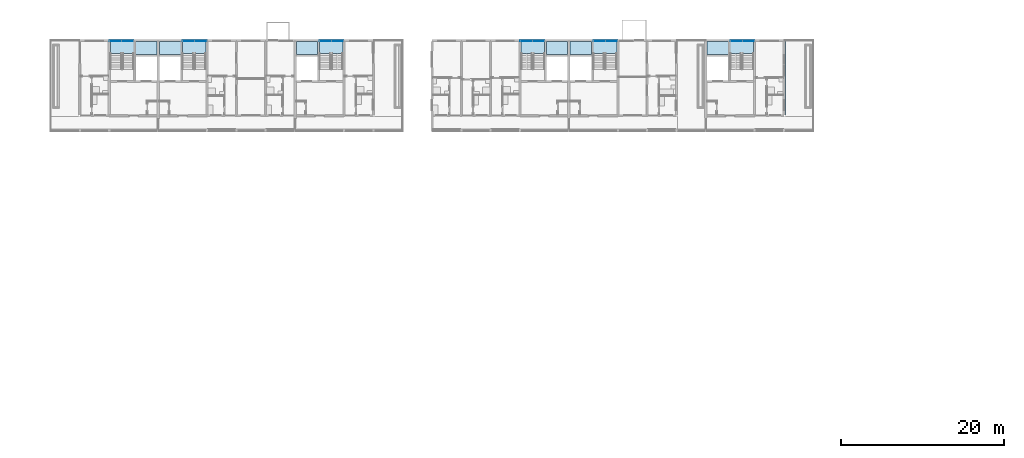
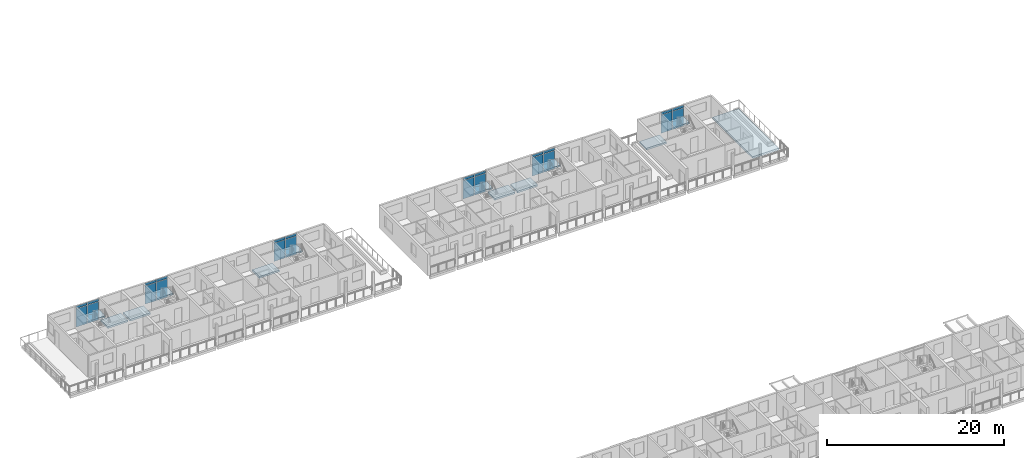
# One storey, part 25 of 94: 24 plates, 13 slabs, 12 elements without a shape of their own.
"""IFC4 building model written with IfcOpenShell, lengths in metres."""

from ifc_helpers import new_model, si_unit, direction, frame, origin, origin_2d, place, context, subcontext, project, spatial, polyline, rectangle, outline, extrude, material, layer, layer_set, type_object, element, aggregate, save


model = new_model("IFC4")

# Units and contexts
model_context = context("Model", 3, precision=1e-05, world=origin(), true_north=direction((0.0, 1.0)))
body_context = subcontext(model_context, "Body", "Model", "MODEL_VIEW")
ifc_project = project(units=[si_unit("LENGTHUNIT", "METRE"), si_unit("AREAUNIT", "SQUARE_METRE"), si_unit("VOLUMEUNIT", "CUBIC_METRE"), si_unit("PLANEANGLEUNIT", "RADIAN"), si_unit("MASSUNIT", "GRAM", prefix="KILO")], contexts=[model_context])

# Site, building, storey
site_placement = place(None, origin())
site = spatial("IfcSite", under=ifc_project, at=site_placement, CompositionType="ELEMENT")
building_placement = place(site_placement, origin())
building = spatial("IfcBuilding", under=site, at=building_placement, Name="Ridgestep Commons", CompositionType="ELEMENT")
storey_placement = place(building_placement, frame((0.0, 0.0, 21.0)))
storey = spatial("IfcBuildingStorey", under=building, at=storey_placement, Name="L07", CompositionType="ELEMENT", Elevation=21.0)

# Curtain wall, plates
ifc_material_1 = material(Name="Aluminium 6063-T6 and glass", Category="aluminium")
curtain_wall_type = type_object("IfcCurtainWallType", Name="Curtain wall stair strip", PredefinedType="NOTDEFINED", material=ifc_material_1)
curtain_wall_1_placement = place(storey_placement, origin())
curtain_wall_1 = element("IfcCurtainWall", 1, at=curtain_wall_1_placement, inside=storey, type_object=curtain_wall_type, Name="Curtain wall B1C level 07", PredefinedType="NOTDEFINED")
ifc_material_2 = material(Name="Glass laminated 6/16/6 low-emissivity", Category="glass")
ifc_layer_1 = layer(ifc_material_2, 0.028076171875)
ifc_layer_set_1 = layer_set([ifc_layer_1], Name="Glazing panel 28")
plate_type_1 = type_object("IfcPlateType", Name="Glazing panel 28", PredefinedType="CURTAIN_PANEL", material=ifc_layer_set_1)
plate_1_placement = place(storey_placement, frame((23.5712890625, 77.080078125, 0.06005859375), z_axis=(0.0, 0.0, 1.0), x_axis=(1.0, 0.0, 0.0)))
plate_1 = element("IfcPlate", 2, at=plate_1_placement, type_object=plate_type_1, Name="CW1 panel 1.1", PredefinedType="CURTAIN_PANEL", context=body_context, shape_type="SweptSolid", body=[
    extrude(rectangle(XDim=1.422607421875, YDim=0.028076171875, at=origin_2d()), origin(), (0.0, 0.0, 1.0), 2.5),
])
plate_2_placement = place(storey_placement, frame((25.0537109375, 77.080078125, 0.06005859375), z_axis=(0.0, 0.0, 1.0), x_axis=(1.0, 0.0, 0.0)))
plate_2 = element("IfcPlate", 3, at=plate_2_placement, type_object=plate_type_1, Name="CW1 panel 2.1", PredefinedType="CURTAIN_PANEL", context=body_context, shape_type="SweptSolid", body=[
    extrude(rectangle(XDim=1.422607421875, YDim=0.028076171875, at=origin_2d()), origin(), (0.0, 0.0, 1.0), 2.5),
])

curtain_wall_2_placement = place(storey_placement, origin())
curtain_wall_2 = element("IfcCurtainWall", 4, at=curtain_wall_2_placement, inside=storey, type_object=curtain_wall_type, Name="Curtain wall B2C level 07", PredefinedType="NOTDEFINED")
plate_3_placement = place(storey_placement, frame((32.546142578125, 77.080078125, 0.06005859375), z_axis=(0.0, 0.0, 1.0), x_axis=(1.0, 0.0, 0.0)))
plate_3 = element("IfcPlate", 5, at=plate_3_placement, type_object=plate_type_1, Name="CW1 panel 1.1", PredefinedType="CURTAIN_PANEL", context=body_context, shape_type="SweptSolid", body=[
    extrude(rectangle(XDim=1.422607421875, YDim=0.028076171875, at=origin_2d()), origin(), (0.0, 0.0, 1.0), 2.5),
])
plate_4_placement = place(storey_placement, frame((34.02880859375, 77.080078125, 0.06005859375), z_axis=(0.0, 0.0, 1.0), x_axis=(1.0, 0.0, 0.0)))
plate_4 = element("IfcPlate", 6, at=plate_4_placement, type_object=plate_type_1, Name="CW1 panel 2.1", PredefinedType="CURTAIN_PANEL", context=body_context, shape_type="SweptSolid", body=[
    extrude(rectangle(XDim=1.422607421875, YDim=0.028076171875, at=origin_2d()), origin(), (0.0, 0.0, 1.0), 2.5),
])

curtain_wall_3_placement = place(storey_placement, origin())
curtain_wall_3 = element("IfcCurtainWall", 7, at=curtain_wall_3_placement, inside=storey, type_object=curtain_wall_type, Name="Curtain wall B3C level 07", PredefinedType="NOTDEFINED")
plate_5_placement = place(storey_placement, frame((49.34619140625, 77.080078125, 0.06005859375), z_axis=(0.0, 0.0, 1.0), x_axis=(1.0, 0.0, 0.0)))
plate_5 = element("IfcPlate", 8, at=plate_5_placement, type_object=plate_type_1, Name="CW1 panel 1.1", PredefinedType="CURTAIN_PANEL", context=body_context, shape_type="SweptSolid", body=[
    extrude(rectangle(XDim=1.422607421875, YDim=0.028076171875, at=origin_2d()), origin(), (0.0, 0.0, 1.0), 2.5),
])
plate_6_placement = place(storey_placement, frame((50.828857421875, 77.080078125, 0.06005859375), z_axis=(0.0, 0.0, 1.0), x_axis=(1.0, 0.0, 0.0)))
plate_6 = element("IfcPlate", 9, at=plate_6_placement, type_object=plate_type_1, Name="CW1 panel 2.1", PredefinedType="CURTAIN_PANEL", context=body_context, shape_type="SweptSolid", body=[
    extrude(rectangle(XDim=1.422607421875, YDim=0.028076171875, at=origin_2d()), origin(), (0.0, 0.0, 1.0), 2.5),
])

curtain_wall_4_placement = place(storey_placement, origin())
curtain_wall_4 = element("IfcCurtainWall", 10, at=curtain_wall_4_placement, inside=storey, type_object=curtain_wall_type, Name="Curtain wall B4C level 07", PredefinedType="NOTDEFINED")
plate_7_placement = place(storey_placement, frame((73.97119140625, 77.080078125, 0.06005859375), z_axis=(0.0, 0.0, 1.0), x_axis=(1.0, 0.0, 0.0)))
plate_7 = element("IfcPlate", 11, at=plate_7_placement, type_object=plate_type_1, Name="CW1 panel 1.1", PredefinedType="CURTAIN_PANEL", context=body_context, shape_type="SweptSolid", body=[
    extrude(rectangle(XDim=1.422607421875, YDim=0.028076171875, at=origin_2d()), origin(), (0.0, 0.0, 1.0), 2.5),
])
plate_8_placement = place(storey_placement, frame((75.453857421875, 77.080078125, 0.06005859375), z_axis=(0.0, 0.0, 1.0), x_axis=(1.0, 0.0, 0.0)))
plate_8 = element("IfcPlate", 12, at=plate_8_placement, type_object=plate_type_1, Name="CW1 panel 2.1", PredefinedType="CURTAIN_PANEL", context=body_context, shape_type="SweptSolid", body=[
    extrude(rectangle(XDim=1.422607421875, YDim=0.028076171875, at=origin_2d()), origin(), (0.0, 0.0, 1.0), 2.5),
])

curtain_wall_5_placement = place(storey_placement, origin())
curtain_wall_5 = element("IfcCurtainWall", 13, at=curtain_wall_5_placement, inside=storey, type_object=curtain_wall_type, Name="Curtain wall B5C level 07", PredefinedType="NOTDEFINED")
plate_9_placement = place(storey_placement, frame((82.9462890625, 77.080078125, 0.06005859375), z_axis=(0.0, 0.0, 1.0), x_axis=(1.0, 0.0, 0.0)))
plate_9 = element("IfcPlate", 14, at=plate_9_placement, type_object=plate_type_1, Name="CW1 panel 1.1", PredefinedType="CURTAIN_PANEL", context=body_context, shape_type="SweptSolid", body=[
    extrude(rectangle(XDim=1.422607421875, YDim=0.028076171875, at=origin_2d()), origin(), (0.0, 0.0, 1.0), 2.5),
])
plate_10_placement = place(storey_placement, frame((84.4287109375, 77.080078125, 0.06005859375), z_axis=(0.0, 0.0, 1.0), x_axis=(1.0, 0.0, 0.0)))
plate_10 = element("IfcPlate", 15, at=plate_10_placement, type_object=plate_type_1, Name="CW1 panel 2.1", PredefinedType="CURTAIN_PANEL", context=body_context, shape_type="SweptSolid", body=[
    extrude(rectangle(XDim=1.422607421875, YDim=0.028076171875, at=origin_2d()), origin(), (0.0, 0.0, 1.0), 2.5),
])

curtain_wall_6_placement = place(storey_placement, origin())
curtain_wall_6 = element("IfcCurtainWall", 16, at=curtain_wall_6_placement, inside=storey, type_object=curtain_wall_type, Name="Curtain wall B6C level 07", PredefinedType="NOTDEFINED")
plate_11_placement = place(storey_placement, frame((99.746337890625, 77.080078125, 0.06005859375), z_axis=(0.0, 0.0, 1.0), x_axis=(1.0, 0.0, 0.0)))
plate_11 = element("IfcPlate", 17, at=plate_11_placement, type_object=plate_type_1, Name="CW1 panel 1.1", PredefinedType="CURTAIN_PANEL", context=body_context, shape_type="SweptSolid", body=[
    extrude(rectangle(XDim=1.422607421875, YDim=0.028076171875, at=origin_2d()), origin(), (0.0, 0.0, 1.0), 2.5),
])
plate_12_placement = place(storey_placement, frame((101.228759765625, 77.080078125, 0.06005859375), z_axis=(0.0, 0.0, 1.0), x_axis=(1.0, 0.0, 0.0)))
plate_12 = element("IfcPlate", 18, at=plate_12_placement, type_object=plate_type_1, Name="CW1 panel 2.1", PredefinedType="CURTAIN_PANEL", context=body_context, shape_type="SweptSolid", body=[
    extrude(rectangle(XDim=1.422607421875, YDim=0.028076171875, at=origin_2d()), origin(), (0.0, 0.0, 1.0), 2.5),
])

# Slabs
ifc_material_3 = material(Name="Precast concrete C50/60", Category="concrete")
ifc_layer_2 = layer(ifc_material_3, 0.25)
ifc_layer_set_2 = layer_set([ifc_layer_2], Name="Hollow-core plank 250")
slab_type_1 = type_object("IfcSlabType", Name="Hollow-core plank 250", PredefinedType="FLOOR", material=ifc_layer_set_2)
slab_1_placement = place(storey_placement, frame((0.0, 0.0, -0.25)))
element("IfcSlab", 19, at=slab_1_placement, inside=storey, type_object=slab_type_1, Name="Floor plank B1C L07", PredefinedType="FLOOR", context=body_context, shape_type="SweptSolid", body=[
    extrude(outline(polyline([(28.64990234375, 75.39990234375), (28.64990234375, 77.0), (26.02490234375, 77.0), (26.02490234375, 75.39990234375), (28.64990234375, 75.39990234375)])), origin(), (0.0, 0.0, 1.0), 0.25),
])
slab_2_placement = place(storey_placement, frame((0.0, 0.0, -0.25)))
element("IfcSlab", 20, at=slab_2_placement, inside=storey, type_object=slab_type_1, Name="Floor plank B2C L07", PredefinedType="FLOOR", context=body_context, shape_type="SweptSolid", body=[
    extrude(outline(polyline([(31.574951171875, 77.0), (28.949951171875, 77.0), (28.949951171875, 75.39990234375), (31.574951171875, 75.39990234375), (31.574951171875, 77.0)])), origin(), (0.0, 0.0, 1.0), 0.25),
])
slab_3_placement = place(storey_placement, frame((0.0, 0.0, -0.25)))
element("IfcSlab", 21, at=slab_3_placement, inside=storey, type_object=slab_type_1, Name="Floor plank B3C L07", PredefinedType="FLOOR", context=body_context, shape_type="SweptSolid", body=[
    extrude(outline(polyline([(48.375, 77.0), (45.75, 77.0), (45.75, 75.39990234375), (48.375, 75.39990234375), (48.375, 77.0)])), origin(), (0.0, 0.0, 1.0), 0.25),
])
slab_4_placement = place(storey_placement, frame((0.0, 0.0, -0.25)))
element("IfcSlab", 22, at=slab_4_placement, inside=storey, type_object=slab_type_1, Name="Floor plank B4C L07", PredefinedType="FLOOR", context=body_context, shape_type="SweptSolid", body=[
    extrude(outline(polyline([(79.050048828125, 75.39990234375), (79.050048828125, 77.0), (76.425048828125, 77.0), (76.425048828125, 75.39990234375), (79.050048828125, 75.39990234375)])), origin(), (0.0, 0.0, 1.0), 0.25),
])
slab_5_placement = place(storey_placement, frame((0.0, 0.0, -0.25)))
element("IfcSlab", 23, at=slab_5_placement, inside=storey, type_object=slab_type_1, Name="Floor plank B5C L07", PredefinedType="FLOOR", context=body_context, shape_type="SweptSolid", body=[
    extrude(outline(polyline([(81.97509765625, 77.0), (79.35009765625, 77.0), (79.35009765625, 75.39990234375), (81.97509765625, 75.39990234375), (81.97509765625, 77.0)])), origin(), (0.0, 0.0, 1.0), 0.25),
])
slab_6_placement = place(storey_placement, frame((0.0, 0.0, -0.25)))
element("IfcSlab", 24, at=slab_6_placement, inside=storey, type_object=slab_type_1, Name="Floor plank B6C L07", PredefinedType="FLOOR", context=body_context, shape_type="SweptSolid", body=[
    extrude(outline(polyline([(98.77490234375, 77.0), (96.14990234375, 77.0), (96.14990234375, 75.39990234375), (98.77490234375, 75.39990234375), (98.77490234375, 77.0)])), origin(), (0.0, 0.0, 1.0), 0.25),
])
ifc_material_4 = material(Name="Precast concrete C50/60", Category="concrete")
ifc_layer_3 = layer(ifc_material_4, 0.25)
ifc_layer_set_3 = layer_set([ifc_layer_3], Name="Roof slab 250")
slab_type_2 = type_object("IfcSlabType", Name="Roof slab 250", PredefinedType="ROOF", material=ifc_layer_set_3)
slab_7_placement = place(storey_placement, frame((0.0, 0.0, -0.25)))
element("IfcSlab", 25, at=slab_7_placement, inside=storey, type_object=slab_type_2, Name="Terrace slab B6T2", PredefinedType="ROOF", context=body_context, shape_type="SweptSolid", body=[
    extrude(outline(polyline([(109.10009765625, 68.0), (109.10009765625, 77.0), (105.699951171875, 77.0), (105.699951171875, 68.0), (109.10009765625, 68.0)])), origin(), (0.0, 0.0, 1.0), 0.25),
])

# Plate
ifc_material_5 = material(Name="Aluminium 6063-T6 and mineral wool", Category="aluminium")
ifc_layer_4 = layer(ifc_material_5, 0.0400390625)
ifc_layer_set_4 = layer_set([ifc_layer_4], Name="Spandrel panel 40")
plate_type_2 = type_object("IfcPlateType", Name="Spandrel panel 40", PredefinedType="CURTAIN_PANEL", material=ifc_layer_set_4)
plate_13_placement = place(storey_placement, frame((23.5712890625, 77.080078125, 2.6201171875), z_axis=(0.0, 0.0, 1.0), x_axis=(1.0, 0.0, 0.0)))
plate_13 = element("IfcPlate", 26, at=plate_13_placement, type_object=plate_type_2, Name="CW1 panel 1.2", PredefinedType="CURTAIN_PANEL", context=body_context, shape_type="SweptSolid", body=[
    extrude(rectangle(XDim=1.422607421875, YDim=0.0400390625, at=origin_2d()), origin(), (0.0, 0.0, 1.0), 0.320068359375),
])

plate_14_placement = place(storey_placement, frame((25.0537109375, 77.080078125, 2.6201171875), z_axis=(0.0, 0.0, 1.0), x_axis=(1.0, 0.0, 0.0)))
plate_14 = element("IfcPlate", 27, at=plate_14_placement, type_object=plate_type_2, Name="CW1 panel 2.2", PredefinedType="CURTAIN_PANEL", context=body_context, shape_type="SweptSolid", body=[
    extrude(rectangle(XDim=1.422607421875, YDim=0.0400390625, at=origin_2d()), origin(), (0.0, 0.0, 1.0), 0.320068359375),
])

aggregate(curtain_wall_1, [plate_1, plate_13, plate_2, plate_14])

plate_15_placement = place(storey_placement, frame((32.546142578125, 77.080078125, 2.6201171875), z_axis=(0.0, 0.0, 1.0), x_axis=(1.0, 0.0, 0.0)))
plate_15 = element("IfcPlate", 28, at=plate_15_placement, type_object=plate_type_2, Name="CW1 panel 1.2", PredefinedType="CURTAIN_PANEL", context=body_context, shape_type="SweptSolid", body=[
    extrude(rectangle(XDim=1.422607421875, YDim=0.0400390625, at=origin_2d()), origin(), (0.0, 0.0, 1.0), 0.320068359375),
])

plate_16_placement = place(storey_placement, frame((34.02880859375, 77.080078125, 2.6201171875), z_axis=(0.0, 0.0, 1.0), x_axis=(1.0, 0.0, 0.0)))
plate_16 = element("IfcPlate", 29, at=plate_16_placement, type_object=plate_type_2, Name="CW1 panel 2.2", PredefinedType="CURTAIN_PANEL", context=body_context, shape_type="SweptSolid", body=[
    extrude(rectangle(XDim=1.422607421875, YDim=0.0400390625, at=origin_2d()), origin(), (0.0, 0.0, 1.0), 0.320068359375),
])

aggregate(curtain_wall_2, [plate_3, plate_15, plate_4, plate_16])

plate_17_placement = place(storey_placement, frame((49.34619140625, 77.080078125, 2.6201171875), z_axis=(0.0, 0.0, 1.0), x_axis=(1.0, 0.0, 0.0)))
plate_17 = element("IfcPlate", 30, at=plate_17_placement, type_object=plate_type_2, Name="CW1 panel 1.2", PredefinedType="CURTAIN_PANEL", context=body_context, shape_type="SweptSolid", body=[
    extrude(rectangle(XDim=1.422607421875, YDim=0.0400390625, at=origin_2d()), origin(), (0.0, 0.0, 1.0), 0.320068359375),
])

plate_18_placement = place(storey_placement, frame((50.828857421875, 77.080078125, 2.6201171875), z_axis=(0.0, 0.0, 1.0), x_axis=(1.0, 0.0, 0.0)))
plate_18 = element("IfcPlate", 31, at=plate_18_placement, type_object=plate_type_2, Name="CW1 panel 2.2", PredefinedType="CURTAIN_PANEL", context=body_context, shape_type="SweptSolid", body=[
    extrude(rectangle(XDim=1.422607421875, YDim=0.0400390625, at=origin_2d()), origin(), (0.0, 0.0, 1.0), 0.320068359375),
])

aggregate(curtain_wall_3, [plate_5, plate_17, plate_6, plate_18])

plate_19_placement = place(storey_placement, frame((73.97119140625, 77.080078125, 2.6201171875), z_axis=(0.0, 0.0, 1.0), x_axis=(1.0, 0.0, 0.0)))
plate_19 = element("IfcPlate", 32, at=plate_19_placement, type_object=plate_type_2, Name="CW1 panel 1.2", PredefinedType="CURTAIN_PANEL", context=body_context, shape_type="SweptSolid", body=[
    extrude(rectangle(XDim=1.422607421875, YDim=0.0400390625, at=origin_2d()), origin(), (0.0, 0.0, 1.0), 0.320068359375),
])

plate_20_placement = place(storey_placement, frame((75.453857421875, 77.080078125, 2.6201171875), z_axis=(0.0, 0.0, 1.0), x_axis=(1.0, 0.0, 0.0)))
plate_20 = element("IfcPlate", 33, at=plate_20_placement, type_object=plate_type_2, Name="CW1 panel 2.2", PredefinedType="CURTAIN_PANEL", context=body_context, shape_type="SweptSolid", body=[
    extrude(rectangle(XDim=1.422607421875, YDim=0.0400390625, at=origin_2d()), origin(), (0.0, 0.0, 1.0), 0.320068359375),
])

aggregate(curtain_wall_4, [plate_7, plate_19, plate_8, plate_20])

plate_21_placement = place(storey_placement, frame((82.9462890625, 77.080078125, 2.6201171875), z_axis=(0.0, 0.0, 1.0), x_axis=(1.0, 0.0, 0.0)))
plate_21 = element("IfcPlate", 34, at=plate_21_placement, type_object=plate_type_2, Name="CW1 panel 1.2", PredefinedType="CURTAIN_PANEL", context=body_context, shape_type="SweptSolid", body=[
    extrude(rectangle(XDim=1.422607421875, YDim=0.0400390625, at=origin_2d()), origin(), (0.0, 0.0, 1.0), 0.320068359375),
])

plate_22_placement = place(storey_placement, frame((84.4287109375, 77.080078125, 2.6201171875), z_axis=(0.0, 0.0, 1.0), x_axis=(1.0, 0.0, 0.0)))
plate_22 = element("IfcPlate", 35, at=plate_22_placement, type_object=plate_type_2, Name="CW1 panel 2.2", PredefinedType="CURTAIN_PANEL", context=body_context, shape_type="SweptSolid", body=[
    extrude(rectangle(XDim=1.422607421875, YDim=0.0400390625, at=origin_2d()), origin(), (0.0, 0.0, 1.0), 0.320068359375),
])

aggregate(curtain_wall_5, [plate_9, plate_21, plate_10, plate_22])

plate_23_placement = place(storey_placement, frame((99.746337890625, 77.080078125, 2.6201171875), z_axis=(0.0, 0.0, 1.0), x_axis=(1.0, 0.0, 0.0)))
plate_23 = element("IfcPlate", 36, at=plate_23_placement, type_object=plate_type_2, Name="CW1 panel 1.2", PredefinedType="CURTAIN_PANEL", context=body_context, shape_type="SweptSolid", body=[
    extrude(rectangle(XDim=1.422607421875, YDim=0.0400390625, at=origin_2d()), origin(), (0.0, 0.0, 1.0), 0.320068359375),
])

plate_24_placement = place(storey_placement, frame((101.228759765625, 77.080078125, 2.6201171875), z_axis=(0.0, 0.0, 1.0), x_axis=(1.0, 0.0, 0.0)))
plate_24 = element("IfcPlate", 37, at=plate_24_placement, type_object=plate_type_2, Name="CW1 panel 2.2", PredefinedType="CURTAIN_PANEL", context=body_context, shape_type="SweptSolid", body=[
    extrude(rectangle(XDim=1.422607421875, YDim=0.0400390625, at=origin_2d()), origin(), (0.0, 0.0, 1.0), 0.320068359375),
])

aggregate(curtain_wall_6, [plate_11, plate_23, plate_12, plate_24])

# Stair, slab
ifc_material_6 = material(Name="Precast concrete C40/50", Category="concrete")
stair_type = type_object("IfcStairType", Name="Escape stair 1400", PredefinedType="HALF_TURN_STAIR", material=ifc_material_6)
stair_1_placement = place(storey_placement, origin())
stair_1 = element("IfcStair", 38, at=stair_1_placement, inside=storey, type_object=stair_type, Name="L07 Escape stair B1C", PredefinedType="HALF_TURN_STAIR")
ifc_material_7 = material(Name="Precast concrete C40/50", Category="concrete")
ifc_layer_5 = layer(ifc_material_7, 0.199951171875)
ifc_layer_set_5 = layer_set([ifc_layer_5], Name="Stair landing 200")
slab_type_3 = type_object("IfcSlabType", Name="Stair landing 200", PredefinedType="LANDING", material=ifc_layer_set_5)
slab_8_placement = place(storey_placement, frame((0.0, 0.0, 1.300048828125)))
slab_8 = element("IfcSlab", 39, at=slab_8_placement, type_object=slab_type_3, Name="B1C landing 1", PredefinedType="LANDING", context=body_context, shape_type="SweptSolid", body=[
    extrude(outline(polyline([(25.824951171875, 75.56005859375), (25.824951171875, 77.0), (22.925048828125, 77.0), (22.925048828125, 75.56005859375), (25.824951171875, 75.56005859375)])), origin(), (0.0, 0.0, 1.0), 0.199951171875),
])
aggregate(stair_1, [slab_8])

stair_2_placement = place(storey_placement, origin())
stair_2 = element("IfcStair", 40, at=stair_2_placement, inside=storey, type_object=stair_type, Name="L07 Escape stair B2C", PredefinedType="HALF_TURN_STAIR")
slab_9_placement = place(storey_placement, frame((0.0, 0.0, 1.300048828125)))
slab_9 = element("IfcSlab", 41, at=slab_9_placement, type_object=slab_type_3, Name="B2C landing 1", PredefinedType="LANDING", context=body_context, shape_type="SweptSolid", body=[
    extrude(outline(polyline([(34.675048828125, 75.56005859375), (34.675048828125, 77.0), (31.77490234375, 77.0), (31.77490234375, 75.56005859375), (34.675048828125, 75.56005859375)])), origin(), (0.0, 0.0, 1.0), 0.199951171875),
])
aggregate(stair_2, [slab_9])

stair_3_placement = place(storey_placement, origin())
stair_3 = element("IfcStair", 42, at=stair_3_placement, inside=storey, type_object=stair_type, Name="L07 Escape stair B3C", PredefinedType="HALF_TURN_STAIR")
slab_10_placement = place(storey_placement, frame((0.0, 0.0, 1.300048828125)))
slab_10 = element("IfcSlab", 43, at=slab_10_placement, type_object=slab_type_3, Name="B3C landing 1", PredefinedType="LANDING", context=body_context, shape_type="SweptSolid", body=[
    extrude(outline(polyline([(51.47509765625, 75.56005859375), (51.47509765625, 77.0), (48.574951171875, 77.0), (48.574951171875, 75.56005859375), (51.47509765625, 75.56005859375)])), origin(), (0.0, 0.0, 1.0), 0.199951171875),
])
aggregate(stair_3, [slab_10])

stair_4_placement = place(storey_placement, origin())
stair_4 = element("IfcStair", 44, at=stair_4_placement, inside=storey, type_object=stair_type, Name="L07 Escape stair B4C", PredefinedType="HALF_TURN_STAIR")
slab_11_placement = place(storey_placement, frame((0.0, 0.0, 1.300048828125)))
slab_11 = element("IfcSlab", 45, at=slab_11_placement, type_object=slab_type_3, Name="B4C landing 1", PredefinedType="LANDING", context=body_context, shape_type="SweptSolid", body=[
    extrude(outline(polyline([(76.22509765625, 75.56005859375), (76.22509765625, 77.0), (73.324951171875, 77.0), (73.324951171875, 75.56005859375), (76.22509765625, 75.56005859375)])), origin(), (0.0, 0.0, 1.0), 0.199951171875),
])
aggregate(stair_4, [slab_11])

stair_5_placement = place(storey_placement, origin())
stair_5 = element("IfcStair", 46, at=stair_5_placement, inside=storey, type_object=stair_type, Name="L07 Escape stair B5C", PredefinedType="HALF_TURN_STAIR")
slab_12_placement = place(storey_placement, frame((0.0, 0.0, 1.300048828125)))
slab_12 = element("IfcSlab", 47, at=slab_12_placement, type_object=slab_type_3, Name="B5C landing 1", PredefinedType="LANDING", context=body_context, shape_type="SweptSolid", body=[
    extrude(outline(polyline([(85.074951171875, 75.56005859375), (85.074951171875, 77.0), (82.175048828125, 77.0), (82.175048828125, 75.56005859375), (85.074951171875, 75.56005859375)])), origin(), (0.0, 0.0, 1.0), 0.199951171875),
])
aggregate(stair_5, [slab_12])

stair_6_placement = place(storey_placement, origin())
stair_6 = element("IfcStair", 48, at=stair_6_placement, inside=storey, type_object=stair_type, Name="L07 Escape stair B6C", PredefinedType="HALF_TURN_STAIR")
slab_13_placement = place(storey_placement, frame((0.0, 0.0, 1.300048828125)))
slab_13 = element("IfcSlab", 49, at=slab_13_placement, type_object=slab_type_3, Name="B6C landing 1", PredefinedType="LANDING", context=body_context, shape_type="SweptSolid", body=[
    extrude(outline(polyline([(101.875, 75.56005859375), (101.875, 77.0), (98.97509765625, 77.0), (98.97509765625, 75.56005859375), (101.875, 75.56005859375)])), origin(), (0.0, 0.0, 1.0), 0.199951171875),
])
aggregate(stair_6, [slab_13])

save(model, "model.ifc")
